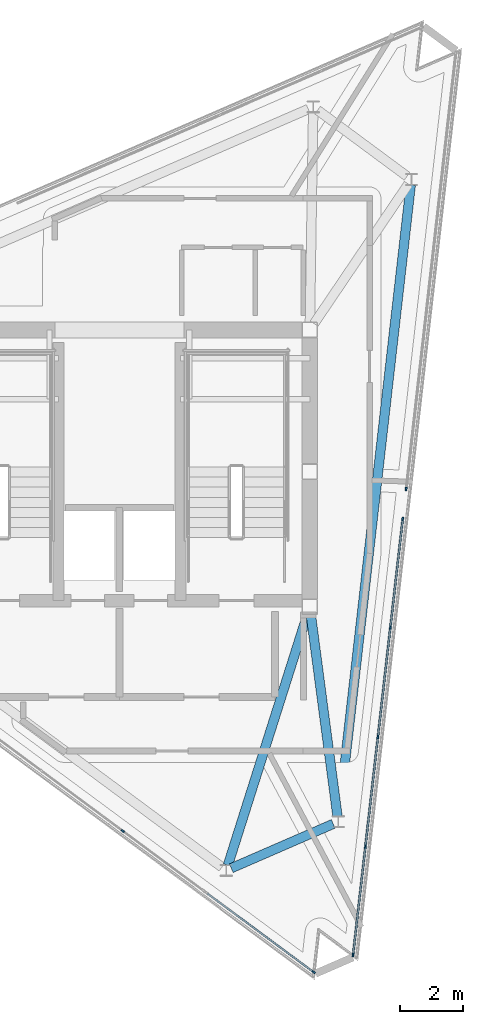
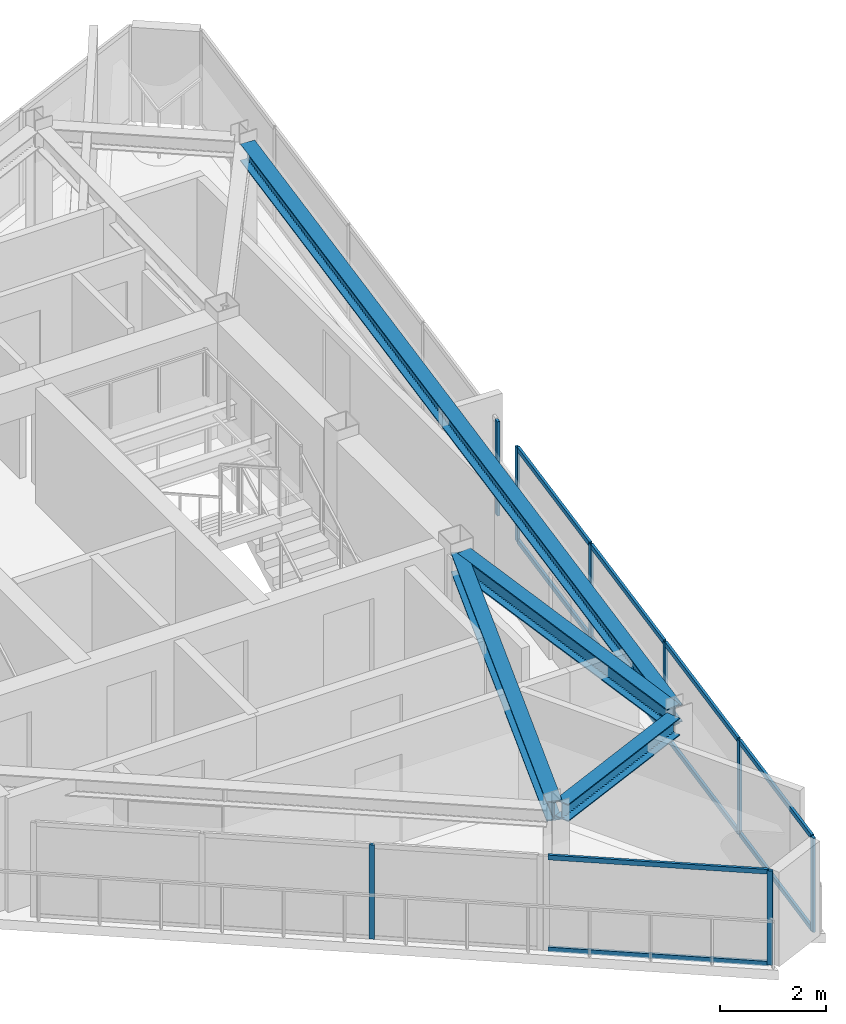
# One storey, part 3 of 10: 18 members, 4 beams, 4 elements without a shape of their own.
"""IFC4 building model written with IfcOpenShell, lengths in metres."""

import ifcopenshell
import ifcopenshell.guid

model = None  # the IFC model being written
_history = None  # IfcOwnerHistory: only IFC2X3 demands one
_inside = {}  # id of a spatial element -> (the spatial element, [elements in it])
_under = {}  # id of a project, library or spatial element -> (it, [spatial elements below it])
_declared = {}  # id of a project -> (the project, [libraries it declares])
_typed = {}  # id of a type object -> (the type object, [elements of that type])
_made_of = {}  # id of a material, layer set ... -> (it, [elements and type objects made of it])


def new_model(schema):
    """Start an empty IFC model of exactly this schema.

    Asked for "IFC4X3", IfcOpenShell would pick the latest addendum, in which some entities
    have other attributes; the version numbers below select the first issue.
    IFC2X3 requires an IfcOwnerHistory on every rooted entity: one is made here for all.
    """
    global model, _history
    if schema == "IFC4X3":
        model = ifcopenshell.file(schema_version=(4, 3, 0, 0))
    else:
        model = ifcopenshell.file(schema=schema)
    _inside.clear()
    _under.clear()
    _declared.clear()
    _typed.clear()
    _made_of.clear()
    _history = None
    if model.schema == "IFC2X3":
        org = make("IfcOrganization", Name="unknown")
        user = make(
            "IfcPersonAndOrganization",
            ThePerson=make("IfcPerson", FamilyName="unknown"),
            TheOrganization=org,
        )
        app = make(
            "IfcApplication",
            ApplicationDeveloper=org,
            Version="unknown",
            ApplicationFullName="unknown",
            ApplicationIdentifier="unknown",
        )
        _history = make(
            "IfcOwnerHistory",
            OwningUser=user,
            OwningApplication=app,
            ChangeAction="ADDED",
            CreationDate=0,
        )
    return model


def make(cls, **values):
    """One entity of the class cls with the attributes given. An attribute that is None is left unset."""
    return model.create_entity(
        cls, **{name: value for name, value in values.items() if value is not None}
    )


def rooted(cls, **values):
    """An entity with a GlobalId (a new one), such as an element, a storey or a relation."""
    return make(cls, GlobalId=ifcopenshell.guid.new(), OwnerHistory=_history, **values)


def si_unit(unit_type, name, prefix=None):
    """IfcSIUnit, for example si_unit("LENGTHUNIT", "METRE", prefix="MILLI")."""
    return make("IfcSIUnit", UnitType=unit_type, Prefix=prefix, Name=name)


def assignment(units):
    """IfcUnitAssignment: the units of a project."""
    return None if units is None else make("IfcUnitAssignment", Units=units)


def point(xyz):
    """IfcCartesianPoint."""
    return None if xyz is None else make("IfcCartesianPoint", Coordinates=xyz)


def direction(xyz):
    """IfcDirection."""
    return None if xyz is None else make("IfcDirection", DirectionRatios=xyz)


def frame(location, z_axis=None, x_axis=None):
    """IfcAxis2Placement3D, a coordinate frame: its origin and axes. An axis left out is left unset."""
    return make(
        "IfcAxis2Placement3D",
        Location=point(location),
        Axis=direction(z_axis),
        RefDirection=direction(x_axis),
    )


def frame_2d(location, x_axis=None):
    """IfcAxis2Placement2D, a coordinate frame in the plane: its origin and x axis."""
    return make(
        "IfcAxis2Placement2D", Location=point(location), RefDirection=direction(x_axis)
    )


def origin():
    """The frame at (0, 0, 0) with its axes left unset."""
    return frame((0.0, 0.0, 0.0))


def origin_2d():
    """The frame at (0, 0) in the plane with its x axis left unset."""
    return frame_2d((0.0, 0.0))


def place(relative_to, where):
    """IfcLocalPlacement: puts the frame where relative to a parent placement (None: the world)."""
    return make(
        "IfcLocalPlacement", PlacementRelTo=relative_to, RelativePlacement=where
    )


def context(
    kind, dimensions, precision=None, world=None, true_north=None, identifier=None
):
    """IfcGeometricRepresentationContext, for example the 3D "Model" context."""
    return make(
        "IfcGeometricRepresentationContext",
        ContextIdentifier=identifier,
        ContextType=kind,
        CoordinateSpaceDimension=dimensions,
        Precision=precision,
        WorldCoordinateSystem=world,
        TrueNorth=true_north,
    )


def subcontext(parent, identifier, kind, view, scale=None):
    """IfcGeometricRepresentationSubContext, for example "Body" below "Model"."""
    return make(
        "IfcGeometricRepresentationSubContext",
        ContextIdentifier=identifier,
        ContextType=kind,
        ParentContext=parent,
        TargetScale=scale,
        TargetView=view,
    )


def project(units=None, contexts=None):
    """IfcProject with its units and contexts."""
    return rooted(
        "IfcProject",
        Name="project",
        RepresentationContexts=contexts,
        UnitsInContext=assignment(units),
    )


def spatial(cls, under=None, at=None, **own):
    """A site, building, storey or space (cls), placed at a placement, below another one or the project."""
    s = rooted(cls, ObjectPlacement=at, **own)
    if under is not None:
        _under.setdefault(under.id(), (under, []))[1].append(s)
    return s


def profile(cls, at=None, kind="AREA", **sizes):
    """A parametric profile (cls). Its sizes go by their IFC names, for example OverallWidth=200.0."""
    return make(cls, ProfileType=kind, Position=at, **sizes)


def rectangle(**sizes):
    """IfcRectangleProfileDef."""
    return profile("IfcRectangleProfileDef", **sizes)


def i_section(**sizes):
    """IfcIShapeProfileDef."""
    return profile("IfcIShapeProfileDef", **sizes)


def extrude(swept, where, along, depth):
    """IfcExtrudedAreaSolid: the profile swept, set in the frame where, extruded along a direction by depth."""
    return make(
        "IfcExtrudedAreaSolid",
        SweptArea=swept,
        Position=where,
        ExtrudedDirection=direction(along),
        Depth=depth,
    )


def shape(context_of_items, identifier, shape_type, items):
    """IfcShapeRepresentation: the items that make up one representation, for example the "Body"."""
    return make(
        "IfcShapeRepresentation",
        ContextOfItems=context_of_items,
        RepresentationIdentifier=identifier,
        RepresentationType=shape_type,
        Items=items,
    )


def material(Name=None, Category=None):
    """IfcMaterial."""
    return make("IfcMaterial", Name=Name, Category=Category)


def layer(
    of_material, thickness, ventilated=None, Name=None, Category=None, Priority=None
):
    """IfcMaterialLayer: one layer of a wall or slab, of a material (None: an air gap)."""
    return make(
        "IfcMaterialLayer",
        Material=of_material,
        LayerThickness=thickness,
        IsVentilated=ventilated,
        Name=Name,
        Category=Category,
        Priority=Priority,
    )


def layer_set(layers, Name=None):
    """IfcMaterialLayerSet."""
    return make("IfcMaterialLayerSet", MaterialLayers=layers, LayerSetName=Name)


def material_profile(
    of_material, cross_section, Name=None, Category=None, Priority=None
):
    """IfcMaterialProfile: a cross section and its material."""
    return make(
        "IfcMaterialProfile",
        Name=Name,
        Material=of_material,
        Profile=cross_section,
        Priority=Priority,
        Category=Category,
    )


def profile_set(profiles, Name=None, composite=None):
    """IfcMaterialProfileSet."""
    return make(
        "IfcMaterialProfileSet",
        Name=Name,
        MaterialProfiles=profiles,
        CompositeProfile=composite,
    )


def made_of(thing, what):
    """Note that an element or type object is made of a material, layer set ...; save() writes the relation."""
    if what is not None:
        _made_of.setdefault(what.id(), (what, []))[1].append(thing)
    return thing


def type_object(cls, material=None, **own):
    """A type object (cls), such as IfcWallType, which elements share."""
    return made_of(rooted(cls, **own), material)


def element(
    cls,
    number,
    at=None,
    inside=None,
    cuts=None,
    type_object=None,
    material=None,
    context=None,
    identifier="Body",
    shape_type=None,
    held_by="IfcProductDefinitionShape",
    body=None,
    shapes=None,
    **own,
):
    """One element of the class cls, such as IfcWall. Its Tag is "e" and its number.

    at: its placement. inside: the storey or other place that contains it. cuts: it is an
    opening in that element (IfcRelVoidsElement). A single representation is given by context,
    identifier, shape_type and body (its items); several are given by shapes. held_by: the class
    of the entity that holds the representations. save() writes the other relations.
    """
    e = rooted(cls, Tag="e%d" % number, ObjectPlacement=at, **own)
    if body is not None:
        shapes = [shape(context, identifier, shape_type, body)]
    if shapes is not None:
        e.Representation = make(held_by, Representations=shapes)
    if inside is not None:
        _inside.setdefault(inside.id(), (inside, []))[1].append(e)
    if cuts is not None:
        rooted(
            "IfcRelVoidsElement", RelatingBuildingElement=cuts, RelatedOpeningElement=e
        )
    if type_object is not None:
        _typed.setdefault(type_object.id(), (type_object, []))[1].append(e)
    return made_of(e, material)


def aggregate(whole, parts):
    """IfcRelAggregates: a whole, such as a stair, and the parts it consists of."""
    return rooted("IfcRelAggregates", RelatingObject=whole, RelatedObjects=parts)


def save(model, path):
    """Write the relations noted so far, then the file.

    IfcRelAggregates (storeys below a building ...), IfcRelContainedInSpatialStructure (elements
    in a storey), IfcRelDefinesByType, IfcRelAssociatesMaterial and IfcRelDeclares: one each for
    every whole, place, type object, material and project.
    """
    for whole, parts in _under.values():
        aggregate(whole, parts)
    for where, things in _inside.values():
        rooted(
            "IfcRelContainedInSpatialStructure",
            RelatedElements=things,
            RelatingStructure=where,
        )
    for kind, things in _typed.values():
        rooted("IfcRelDefinesByType", RelatedObjects=things, RelatingType=kind)
    for what, things in _made_of.values():
        rooted("IfcRelAssociatesMaterial", RelatedObjects=things, RelatingMaterial=what)
    for by, libraries in _declared.values():
        rooted("IfcRelDeclares", RelatingContext=by, RelatedDefinitions=libraries)
    model.write(path)


model = new_model("IFC4")

# Units and contexts
model_context = context("Model", 3, precision=1e-05, world=origin(), true_north=direction((0.0, 1.0)))
body_context = subcontext(model_context, "Body", "Model", "MODEL_VIEW")
ifc_project = project(units=[si_unit("LENGTHUNIT", "METRE"), si_unit("AREAUNIT", "SQUARE_METRE"), si_unit("VOLUMEUNIT", "CUBIC_METRE"), si_unit("PLANEANGLEUNIT", "RADIAN"), si_unit("MASSUNIT", "GRAM", prefix="KILO")], contexts=[model_context])

# Site, building, storey
site_placement = place(None, origin())
site = spatial("IfcSite", under=ifc_project, at=site_placement, CompositionType="ELEMENT")
building_placement = place(site_placement, origin())
building = spatial("IfcBuilding", under=site, at=building_placement, Name="Rocaltana Carrier Exchange", CompositionType="ELEMENT")
storey_placement = place(building_placement, frame((0.0, 0.0, 252.0)))
storey = spatial("IfcBuildingStorey", under=building, at=storey_placement, Name="L80", CompositionType="ELEMENT", Elevation=252.0)

# Curtain wall, members
ifc_material_1 = material(Name="Aluminium 6063-T6", Category="aluminium")
ifc_layer = layer(ifc_material_1, 0.110107421875)
ifc_layer_set = layer_set([ifc_layer], Name="Aluminium 6063-T6")
curtain_wall_type = type_object("IfcCurtainWallType", Name="Crown Lantern Faceted Curtain Wall CW-06", PredefinedType="NOTDEFINED", material=ifc_layer_set)
curtain_wall_1_placement = place(storey_placement, origin())
curtain_wall_1 = element("IfcCurtainWall", 1, at=curtain_wall_1_placement, inside=storey, type_object=curtain_wall_type, Name="L80 CW-06 Run CW06-L80-F1S1", PredefinedType="NOTDEFINED")
ifc_material_2 = material(Name="Aluminium 6063-T6", Category="aluminium")
ifc_material_profile_1 = material_profile(ifc_material_2, rectangle(XDim=0.054931640625, YDim=0.110107421875, at=origin_2d()), Name="AL-55X110")
ifc_profile_set_1 = profile_set([ifc_material_profile_1], Name="Aluminium 6063-T6")
member_type_1 = type_object("IfcMemberType", Name="CW-06 Mullion AL-55X110", PredefinedType="MULLION", material=ifc_profile_set_1)
member_1_placement = place(storey_placement, frame((7.424072265625, -15.361572265625, 0.0), z_axis=(0.0, 0.0, 1.0), x_axis=(-0.99357221167, 0.113200089213, 0.0)))
member_1 = element("IfcMember", 2, at=member_1_placement, type_object=member_type_1, Name="CW-06 mullion 1", PredefinedType="MULLION", context=body_context, shape_type="SweptSolid", body=[
    extrude(rectangle(XDim=0.054931640625, YDim=0.110107421875, at=origin_2d()), origin(), (0.0, 0.0, 1.0), 2.16796875),
])
member_2_placement = place(storey_placement, frame((7.817138671875, -11.91162109375, 0.0), z_axis=(0.0, 0.0, 1.0), x_axis=(-0.99357221167, 0.113200089213, 0.0)))
member_2 = element("IfcMember", 3, at=member_2_placement, type_object=member_type_1, Name="CW-06 mullion 2", PredefinedType="MULLION", context=body_context, shape_type="SweptSolid", body=[
    extrude(rectangle(XDim=0.054931640625, YDim=0.110107421875, at=origin_2d()), origin(), (0.0, 0.0, 1.0), 2.16796875),
])
member_3_placement = place(storey_placement, frame((8.21337890625, -8.43408203125, 0.0), z_axis=(0.0, 0.0, 1.0), x_axis=(-0.99357221167, 0.113200089213, 0.0)))
member_3 = element("IfcMember", 4, at=member_3_placement, type_object=member_type_1, Name="CW-06 mullion 3", PredefinedType="MULLION", context=body_context, shape_type="SweptSolid", body=[
    extrude(rectangle(XDim=0.054931640625, YDim=0.110107421875, at=origin_2d()), origin(), (0.0, 0.0, 1.0), 2.16796875),
])
member_4_placement = place(storey_placement, frame((8.609619140625, -4.95654296875, 0.0), z_axis=(0.0, 0.0, 1.0), x_axis=(-0.99357221167, 0.113200089213, 0.0)))
member_4 = element("IfcMember", 5, at=member_4_placement, type_object=member_type_1, Name="CW-06 mullion 4", PredefinedType="MULLION", context=body_context, shape_type="SweptSolid", body=[
    extrude(rectangle(XDim=0.054931640625, YDim=0.110107421875, at=origin_2d()), origin(), (0.0, 0.0, 1.0), 2.16796875),
])
member_5_placement = place(storey_placement, frame((9.002685546875, -1.50634765625, 0.0), z_axis=(0.0, 0.0, 1.0), x_axis=(-0.99357221167, 0.113200089213, 0.0)))
member_5 = element("IfcMember", 6, at=member_5_placement, type_object=member_type_1, Name="CW-06 mullion 5", PredefinedType="MULLION", context=body_context, shape_type="SweptSolid", body=[
    extrude(rectangle(XDim=0.054931640625, YDim=0.110107421875, at=origin_2d()), origin(), (0.0, 0.0, 1.0), 2.16796875),
])

# Curtain wall, member
curtain_wall_2_placement = place(storey_placement, origin())
curtain_wall_2 = element("IfcCurtainWall", 7, at=curtain_wall_2_placement, inside=storey, type_object=curtain_wall_type, Name="L80 CW-06 Run CW06-L80-F1S2", PredefinedType="NOTDEFINED")
member_6_placement = place(storey_placement, frame((9.11083984375, -0.557373046875, 0.0), z_axis=(0.0, 0.0, 1.0), x_axis=(-0.99357221167, 0.113200089213, 0.0)))
member_6 = element("IfcMember", 8, at=member_6_placement, type_object=member_type_1, Name="CW-06 mullion 1", PredefinedType="MULLION", context=body_context, shape_type="SweptSolid", body=[
    extrude(rectangle(XDim=0.054931640625, YDim=0.110107421875, at=origin_2d()), origin(), (0.0, 0.0, 1.0), 2.16796875),
])
aggregate(curtain_wall_2, [member_6])

curtain_wall_3_placement = place(storey_placement, origin())
curtain_wall_3 = element("IfcCurtainWall", 9, at=curtain_wall_3_placement, inside=storey, type_object=curtain_wall_type, Name="L80 CW-06 Run CW06-L80-F3S2-S1", PredefinedType="NOTDEFINED")
member_7_placement = place(storey_placement, frame((0.1103515625, -11.421142578125, 0.0), z_axis=(0.0, 0.0, 1.0), x_axis=(0.594825190977, 0.803855081578, 0.0)))
member_7 = element("IfcMember", 10, at=member_7_placement, type_object=member_type_1, Name="CW-06 mullion 3", PredefinedType="MULLION", context=body_context, shape_type="SweptSolid", body=[
    extrude(rectangle(XDim=0.054931640625, YDim=0.110107421875, at=origin_2d()), origin(), (0.0, 0.0, 1.0), 2.16796875),
])
aggregate(curtain_wall_3, [member_7])

curtain_wall_4_placement = place(storey_placement, origin())
curtain_wall_4 = element("IfcCurtainWall", 11, at=curtain_wall_4_placement, inside=storey, type_object=curtain_wall_type, Name="L80 CW-06 Run CW06-L80-F3S2-S2", PredefinedType="NOTDEFINED")
member_8_placement = place(storey_placement, frame((6.171630859375, -15.90625, 0.0), z_axis=(0.0, 0.0, 1.0), x_axis=(0.594816770777, 0.803861312169, 0.0)))
member_8 = element("IfcMember", 12, at=member_8_placement, type_object=member_type_1, Name="CW-06 mullion 2", PredefinedType="MULLION", context=body_context, shape_type="SweptSolid", body=[
    extrude(rectangle(XDim=0.054931640625, YDim=0.110107421875, at=origin_2d()), origin(), (0.0, 0.0, 1.0), 2.16796875),
])

# Member
ifc_material_3 = material(Name="Aluminium 6063-T6", Category="aluminium")
ifc_material_profile_2 = material_profile(ifc_material_3, rectangle(XDim=0.054931640625, YDim=0.110107421875, at=origin_2d()), Name="AL-55X110")
ifc_profile_set_2 = profile_set([ifc_material_profile_2], Name="Aluminium 6063-T6")
member_type_2 = type_object("IfcMemberType", Name="CW-06 Transom AL-55X110", PredefinedType="USERDEFINED", material=ifc_profile_set_2)
member_9_placement = place(storey_placement, frame((7.42724609375, -15.33447265625, 0.027587890625), z_axis=(0.113222227146, 0.993569689192, 0.0), x_axis=(-0.993569689192, 0.113222227146, 0.0)))
member_9 = element("IfcMember", 13, at=member_9_placement, type_object=member_type_2, Name="CW-06 transom 1.1", ObjectType="TRANSOM", PredefinedType="USERDEFINED", context=body_context, shape_type="SweptSolid", body=[
    extrude(rectangle(XDim=0.054931640625, YDim=0.110107421875, at=origin_2d()), origin(), (0.0, 0.0, 1.0), 3.417724609375),
])

member_10_placement = place(storey_placement, frame((7.42724609375, -15.33447265625, 2.140380859375), z_axis=(0.113222227146, 0.993569689192, 0.0), x_axis=(-0.993569689192, 0.113222227146, 0.0)))
member_10 = element("IfcMember", 14, at=member_10_placement, type_object=member_type_2, Name="CW-06 transom 1.2", ObjectType="TRANSOM", PredefinedType="USERDEFINED", context=body_context, shape_type="SweptSolid", body=[
    extrude(rectangle(XDim=0.054931640625, YDim=0.110107421875, at=origin_2d()), origin(), (0.0, 0.0, 1.0), 3.417724609375),
])

member_11_placement = place(storey_placement, frame((7.8203125, -11.88427734375, 0.027587890625), z_axis=(0.113176822748, 0.993574862198, 0.0), x_axis=(-0.993574862198, 0.113176822748, 0.0)))
member_11 = element("IfcMember", 15, at=member_11_placement, type_object=member_type_2, Name="CW-06 transom 2.1", ObjectType="TRANSOM", PredefinedType="USERDEFINED", context=body_context, shape_type="SweptSolid", body=[
    extrude(rectangle(XDim=0.054931640625, YDim=0.110107421875, at=origin_2d()), origin(), (0.0, 0.0, 1.0), 3.445068359375),
])

member_12_placement = place(storey_placement, frame((7.8203125, -11.88427734375, 2.140380859375), z_axis=(0.113176822748, 0.993574862198, 0.0), x_axis=(-0.993574862198, 0.113176822748, 0.0)))
member_12 = element("IfcMember", 16, at=member_12_placement, type_object=member_type_2, Name="CW-06 transom 2.2", ObjectType="TRANSOM", PredefinedType="USERDEFINED", context=body_context, shape_type="SweptSolid", body=[
    extrude(rectangle(XDim=0.054931640625, YDim=0.110107421875, at=origin_2d()), origin(), (0.0, 0.0, 1.0), 3.445068359375),
])

member_13_placement = place(storey_placement, frame((8.216552734375, -8.40673828125, 0.027587890625), z_axis=(0.113176822748, 0.993574862198, 0.0), x_axis=(-0.993574862198, 0.113176822748, 0.0)))
member_13 = element("IfcMember", 17, at=member_13_placement, type_object=member_type_2, Name="CW-06 transom 3.1", ObjectType="TRANSOM", PredefinedType="USERDEFINED", context=body_context, shape_type="SweptSolid", body=[
    extrude(rectangle(XDim=0.054931640625, YDim=0.110107421875, at=origin_2d()), origin(), (0.0, 0.0, 1.0), 3.445068359375),
])

member_14_placement = place(storey_placement, frame((8.216552734375, -8.40673828125, 2.140380859375), z_axis=(0.113176822748, 0.993574862198, 0.0), x_axis=(-0.993574862198, 0.113176822748, 0.0)))
member_14 = element("IfcMember", 18, at=member_14_placement, type_object=member_type_2, Name="CW-06 transom 3.2", ObjectType="TRANSOM", PredefinedType="USERDEFINED", context=body_context, shape_type="SweptSolid", body=[
    extrude(rectangle(XDim=0.054931640625, YDim=0.110107421875, at=origin_2d()), origin(), (0.0, 0.0, 1.0), 3.445068359375),
])

member_15_placement = place(storey_placement, frame((8.61279296875, -4.92919921875, 0.027587890625), z_axis=(0.113159739988, 0.993576807925, 0.0), x_axis=(-0.993576807925, 0.113159739988, 0.0)))
member_15 = element("IfcMember", 19, at=member_15_placement, type_object=member_type_2, Name="CW-06 transom 4.1", ObjectType="TRANSOM", PredefinedType="USERDEFINED", context=body_context, shape_type="SweptSolid", body=[
    extrude(rectangle(XDim=0.054931640625, YDim=0.110107421875, at=origin_2d()), origin(), (0.0, 0.0, 1.0), 3.41748046875),
])

member_16_placement = place(storey_placement, frame((8.61279296875, -4.92919921875, 2.140380859375), z_axis=(0.113159739988, 0.993576807925, 0.0), x_axis=(-0.993576807925, 0.113159739988, 0.0)))
member_16 = element("IfcMember", 20, at=member_16_placement, type_object=member_type_2, Name="CW-06 transom 4.2", ObjectType="TRANSOM", PredefinedType="USERDEFINED", context=body_context, shape_type="SweptSolid", body=[
    extrude(rectangle(XDim=0.054931640625, YDim=0.110107421875, at=origin_2d()), origin(), (0.0, 0.0, 1.0), 3.41748046875),
])

aggregate(curtain_wall_1, [member_1, member_2, member_3, member_4, member_5, member_9, member_10, member_11, member_12, member_13, member_14, member_15, member_16])

member_17_placement = place(storey_placement, frame((2.792724609375, -13.406005859375, 0.027587890625), z_axis=(0.803849167727, -0.594833182955, 0.0), x_axis=(0.594833182955, 0.803849167727, 0.0)))
member_17 = element("IfcMember", 21, at=member_17_placement, type_object=member_type_2, Name="CW-06 transom 1.1", ObjectType="TRANSOM", PredefinedType="USERDEFINED", context=body_context, shape_type="SweptSolid", body=[
    extrude(rectangle(XDim=0.054931640625, YDim=0.110107421875, at=origin_2d()), origin(), (0.0, 0.0, 1.0), 4.17578125),
])

member_18_placement = place(storey_placement, frame((2.792724609375, -13.406005859375, 2.140380859375), z_axis=(0.803849167727, -0.594833182955, 0.0), x_axis=(0.594833182955, 0.803849167727, 0.0)))
member_18 = element("IfcMember", 22, at=member_18_placement, type_object=member_type_2, Name="CW-06 transom 1.2", ObjectType="TRANSOM", PredefinedType="USERDEFINED", context=body_context, shape_type="SweptSolid", body=[
    extrude(rectangle(XDim=0.054931640625, YDim=0.110107421875, at=origin_2d()), origin(), (0.0, 0.0, 1.0), 4.17578125),
])

aggregate(curtain_wall_4, [member_8, member_17, member_18])

# Beams
ifc_material_4 = material(Name="Steel S460", Category="steel")
ifc_material_profile_3 = material_profile(ifc_material_4, i_section(OverallWidth=0.300048828125, OverallDepth=0.449951171875, WebThickness=0.013916015625, FlangeThickness=0.02587890625, FilletRadius=0.027099609375, at=origin_2d()), Name="HEB450")
ifc_profile_set_3 = profile_set([ifc_material_profile_3], Name="Steel S460")
beam_type_1 = type_object("IfcBeamType", Name="Crown Frame Rafter HEB450", PredefinedType="BEAM", material=ifc_profile_set_3)
beam_1_placement = place(storey_placement, frame((6.081787109375, -4.539794921875, 2.423095703125), z_axis=(0.131160183144, -0.991361188648, 0.0), x_axis=(0.991361188648, 0.131160183144, 0.0)))
element("IfcBeam", 23, at=beam_1_placement, inside=storey, type_object=beam_type_1, Name="CRG-RAD-L80-01", PredefinedType="BEAM", context=body_context, shape_type="SweptSolid", body=[
    extrude(i_section(OverallWidth=0.300048828125, OverallDepth=0.449951171875, WebThickness=0.013916015625, FlangeThickness=0.02587890625, FilletRadius=0.027099609375, at=origin_2d()), origin(), (0.0, 0.0, 1.0), 6.47021484375),
])
beam_2_placement = place(storey_placement, frame((5.976806640625, -4.53076171875, 2.423095703125), z_axis=(-0.302197952625, -0.953245192712, 0.0), x_axis=(0.953245192712, -0.302197952625, 0.0)))
element("IfcBeam", 24, at=beam_2_placement, inside=storey, type_object=beam_type_1, Name="CRG-RAD-L80-06", PredefinedType="BEAM", context=body_context, shape_type="SweptSolid", body=[
    extrude(i_section(OverallWidth=0.300048828125, OverallDepth=0.449951171875, WebThickness=0.013916015625, FlangeThickness=0.02587890625, FilletRadius=0.027099609375, at=origin_2d()), origin(), (0.0, 0.0, 1.0), 8.3681640625),
])
ifc_material_5 = material(Name="Steel S460", Category="steel")
ifc_material_profile_4 = material_profile(ifc_material_5, i_section(OverallWidth=0.300048828125, OverallDepth=0.39990234375, WebThickness=0.013427734375, FlangeThickness=0.02392578125, FilletRadius=0.027099609375, at=origin_2d()), Name="HEB400")
ifc_profile_set_4 = profile_set([ifc_material_profile_4], Name="Steel S460")
beam_type_2 = type_object("IfcBeamType", Name="Crown Ring Beam HEB400", PredefinedType="BEAM", material=ifc_profile_set_4)
beam_3_placement = place(storey_placement, frame((6.972900390625, -10.95361328125, 2.447998046875), z_axis=(0.113206536155, 0.993571477133, 0.0), x_axis=(-0.993571477133, 0.113206536155, 0.0)))
element("IfcBeam", 25, at=beam_3_placement, inside=storey, type_object=beam_type_2, Name="CRG-RING-L80-01", PredefinedType="BEAM", context=body_context, shape_type="SweptSolid", body=[
    extrude(i_section(OverallWidth=0.300048828125, OverallDepth=0.39990234375, WebThickness=0.013427734375, FlangeThickness=0.02392578125, FilletRadius=0.027099609375, at=origin_2d()), origin(), (0.0, 0.0, 1.0), 20.18798828125),
])
beam_4_placement = place(storey_placement, frame((3.55517578125, -12.60400390625, 2.447998046875), z_axis=(0.917068957049, 0.398728639574, 0.0), x_axis=(-0.398728639574, 0.917068957049, 0.0)))
element("IfcBeam", 26, at=beam_4_placement, inside=storey, type_object=beam_type_2, Name="CRG-RING-L80-06", PredefinedType="BEAM", context=body_context, shape_type="SweptSolid", body=[
    extrude(i_section(OverallWidth=0.300048828125, OverallDepth=0.39990234375, WebThickness=0.013427734375, FlangeThickness=0.02392578125, FilletRadius=0.027099609375, at=origin_2d()), origin(), (0.0, 0.0, 1.0), 3.531005859375),
])

save(model, "model.ifc")
